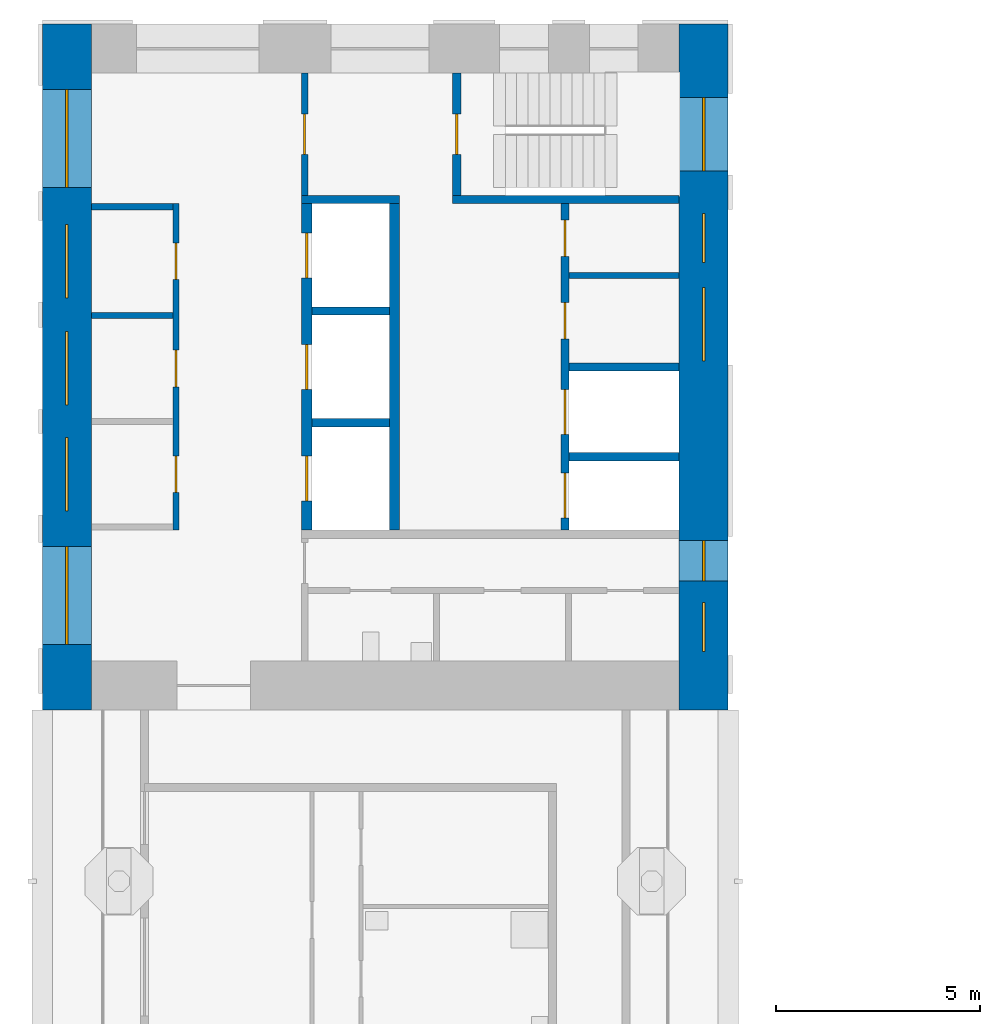
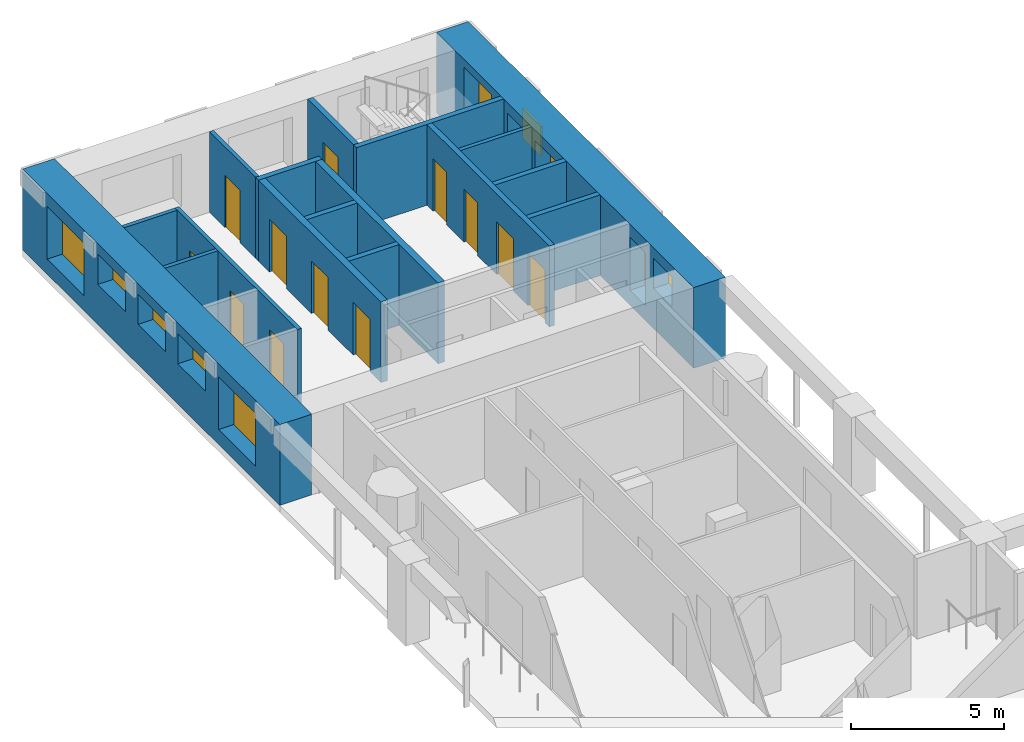
# One storey, part 6 of 13: 17 walls, 12 doors, 10 windows, 22 openings.
"""IFC4 building model written with IfcOpenShell, lengths in metres."""

from ifc_helpers import new_model, si_unit, direction, frame, frame_2d, origin, place, context, subcontext, project, spatial, rectangle, extrude, material, layer, layer_set, type_object, element, fill, save


model = new_model("IFC4")

# Units and contexts
model_context = context("Model", 3, precision=1e-05, world=origin(), true_north=direction((0.0, 1.0)))
body_context = subcontext(model_context, "Body", "Model", "MODEL_VIEW")
ifc_project = project(units=[si_unit("LENGTHUNIT", "METRE"), si_unit("AREAUNIT", "SQUARE_METRE"), si_unit("VOLUMEUNIT", "CUBIC_METRE"), si_unit("PLANEANGLEUNIT", "RADIAN"), si_unit("MASSUNIT", "GRAM", prefix="KILO")], contexts=[model_context])

# Site, building, storey
site_placement = place(None, origin())
site = spatial("IfcSite", under=ifc_project, at=site_placement, CompositionType="ELEMENT")
building_placement = place(site_placement, origin())
building = spatial("IfcBuilding", under=site, at=building_placement, Name="Vermilion Gate Residences", CompositionType="ELEMENT")
storey_placement = place(building_placement, frame((0.0, 0.0, 189.699951171875)))
storey = spatial("IfcBuildingStorey", under=building, at=storey_placement, Name="L49", CompositionType="ELEMENT", Elevation=189.699951171875)

# Walls
ifc_material_1 = material(Name="Masonry blockwork", Category="masonry")
ifc_layer_1 = layer(ifc_material_1, 0.14990234375)
ifc_layer_set_1 = layer_set([ifc_layer_1], Name="BLOCKWORK PARTITION 150 EI 120")
wall_type_1 = type_object("IfcWallType", Name="BLOCKWORK PARTITION 150 EI 120", PredefinedType="PARTITIONING", material=ifc_layer_set_1)
for number, where, z_axis, x_axis, name in (
    (1, (9.60009765625, 54.324951171875, 0.0), (0.0, 0.0, 1.0), (1.0, 0.0, 0.0), "Core room partition B49-RW-W"),
    (2, (9.60009765625, 51.658935546875, 0.0), (0.0, 0.0, 1.0), (1.0, 0.0, 0.0), "Core room partition B49-SR-P0"),
):
    element("IfcWall", number, at=place(storey_placement, frame(where, z_axis=z_axis, x_axis=x_axis)), inside=storey, type_object=wall_type_1, Name=name, PredefinedType="PARTITIONING", context=body_context, shape_type="SweptSolid", body=[
        extrude(rectangle(XDim=2.0, YDim=0.14990234375, at=frame_2d((1.0, 0.0))), origin(), (0.0, 0.0, 1.0), 3.219970703125),
    ])

# Wall, openings, doors
wall_1_placement = place(storey_placement, frame((11.675048828125, 54.39990234375, 0.0), z_axis=(0.0, 0.0, 1.0), x_axis=(0.0, -1.0, 0.0)))
wall_1 = element("IfcWall", 3, at=wall_1_placement, inside=storey, type_object=wall_type_1, Name="Core room partition B49-LR-F", PredefinedType="PARTITIONING", context=body_context, shape_type="SweptSolid", body=[
    extrude(rectangle(XDim=8.0, YDim=0.14990234375, at=frame_2d((4.0, 0.0))), origin(), (0.0, 0.0, 1.0), 3.219970703125),
])
opening_1_placement = place(wall_1_placement, frame((0.9580078125, 0.0, 0.0)))
opening_1 = element("IfcOpeningElement", 4, at=opening_1_placement, cuts=wall_1, Name="Opening DK49102", PredefinedType="OPENING", context=body_context, shape_type="SweptSolid", body=[
    extrude(rectangle(XDim=0.89990234375, YDim=2.10009765625, at=frame_2d((0.449951171875, 1.050048828125))), frame((0.0, 0.0849609375, 0.0), z_axis=(0.0, -1.0, 0.0), x_axis=(1.0, 0.0, 0.0)), (0.0, 0.0, 1.0), 0.169921875),
])
opening_2_placement = place(wall_1_placement, frame((3.5869140625, 0.0, 0.0)))
opening_2 = element("IfcOpeningElement", 5, at=opening_2_placement, cuts=wall_1, Name="Opening DK49103", PredefinedType="OPENING", context=body_context, shape_type="SweptSolid", body=[
    extrude(rectangle(XDim=0.89990234375, YDim=2.10009765625, at=frame_2d((0.449951171875, 1.050048828125))), frame((0.0, 0.0849609375, 0.0), z_axis=(0.0, -1.0, 0.0), x_axis=(1.0, 0.0, 0.0)), (0.0, 0.0, 1.0), 0.169921875),
])
opening_3_placement = place(wall_1_placement, frame((6.178955078125, 0.0, 0.0)))
opening_3 = element("IfcOpeningElement", 6, at=opening_3_placement, cuts=wall_1, Name="Opening DK49104", PredefinedType="OPENING", context=body_context, shape_type="SweptSolid", body=[
    extrude(rectangle(XDim=0.89990234375, YDim=2.10009765625, at=frame_2d((0.449951171875, 1.050048828125))), frame((0.0, 0.0849609375, 0.0), z_axis=(0.0, -1.0, 0.0), x_axis=(1.0, 0.0, 0.0)), (0.0, 0.0, 1.0), 0.169921875),
])
ifc_material_2 = material(Name="Steel", Category="steel")
door_type_1 = type_object("IfcDoorType", Name="SERVICE ROOM DOOR FD60 900 X 2100", OperationType="SINGLE_SWING_LEFT", PredefinedType="DOOR", material=ifc_material_2)
door_1_placement = place(opening_1_placement, origin())
door_1 = element("IfcDoor", 7, at=door_1_placement, inside=storey, type_object=door_type_1, Name="Electrical room B49", OperationType="SINGLE_SWING_LEFT", OverallHeight=2.10009765625, OverallWidth=0.89990234375, PredefinedType="DOOR", context=body_context, shape_type="SweptSolid", body=[
    extrude(rectangle(XDim=0.89990234375, YDim=2.10009765625, at=frame_2d((0.449951171875, 1.050048828125))), frame((0.0, 0.02490234375, 0.0), z_axis=(0.0, -1.0, 0.0), x_axis=(1.0, 0.0, 0.0)), (0.0, 0.0, 1.0), 0.050048828125),
])
fill(opening_1, door_1)
door_2_placement = place(opening_2_placement, frame((0.89990234375, 0.0, 0.0), z_axis=(0.0, 0.0, 1.0), x_axis=(-1.0, 0.0, 0.0)))
door_2 = element("IfcDoor", 8, at=door_2_placement, inside=storey, type_object=door_type_1, Name="Communications room B49", OperationType="SINGLE_SWING_LEFT", OverallHeight=2.10009765625, OverallWidth=0.89990234375, PredefinedType="DOOR", context=body_context, shape_type="SweptSolid", body=[
    extrude(rectangle(XDim=0.89990234375, YDim=2.10009765625, at=frame_2d((0.449951171875, 1.050048828125))), frame((0.0, 0.02490234375, 0.0), z_axis=(0.0, -1.0, 0.0), x_axis=(1.0, 0.0, 0.0)), (0.0, 0.0, 1.0), 0.050048828125),
])
fill(opening_2, door_2)
door_3_placement = place(opening_3_placement, frame((0.89990234375, 0.0, 0.0), z_axis=(0.0, 0.0, 1.0), x_axis=(-1.0, 0.0, 0.0)))
door_3 = element("IfcDoor", 9, at=door_3_placement, inside=storey, type_object=door_type_1, Name="Refuse room B49", OperationType="SINGLE_SWING_LEFT", OverallHeight=2.10009765625, OverallWidth=0.89990234375, PredefinedType="DOOR", context=body_context, shape_type="SweptSolid", body=[
    extrude(rectangle(XDim=0.89990234375, YDim=2.10009765625, at=frame_2d((0.449951171875, 1.050048828125))), frame((0.0, 0.02490234375, 0.0), z_axis=(0.0, -1.0, 0.0), x_axis=(1.0, 0.0, 0.0)), (0.0, 0.0, 1.0), 0.050048828125),
])
fill(opening_3, door_3)

# Wall
wall_2_placement = place(storey_placement, frame((21.300048828125, 52.637451171875, 0.0), z_axis=(0.0, 0.0, 1.0), x_axis=(1.0, 0.0, 0.0)))
element("IfcWall", 10, at=wall_2_placement, inside=storey, type_object=wall_type_1, Name="Core room partition B49-NR-P0", PredefinedType="PARTITIONING", context=body_context, shape_type="SweptSolid", body=[
    extrude(rectangle(XDim=2.699951171875, YDim=0.14990234375, at=frame_2d((1.35009765625, 0.0))), origin(), (0.0, 0.0, 1.0), 3.219970703125),
])

# Wall, opening, door
wall_3_placement = place(storey_placement, frame((14.824951171875, 57.60009765625, 0.0), z_axis=(0.0, 0.0, 1.0), x_axis=(0.0, -1.0, 0.0)))
wall_3 = element("IfcWall", 11, at=wall_3_placement, inside=storey, type_object=wall_type_1, Name="Core room partition B49-VW-S", PredefinedType="PARTITIONING", context=body_context, shape_type="SweptSolid", body=[
    extrude(rectangle(XDim=3.0, YDim=0.14990234375, at=frame_2d((1.5, 0.0))), origin(), (0.0, 0.0, 1.0), 3.219970703125),
])
opening_4_placement = place(wall_3_placement, frame((1.0, 0.0, 0.0)))
opening_4 = element("IfcOpeningElement", 12, at=opening_4_placement, cuts=wall_3, Name="Opening DK49112", PredefinedType="OPENING", context=body_context, shape_type="SweptSolid", body=[
    extrude(rectangle(XDim=1.0, YDim=2.10009765625, at=frame_2d((0.5, 1.050048828125))), frame((0.0, 0.0849609375, 0.0), z_axis=(0.0, -1.0, 0.0), x_axis=(1.0, 0.0, 0.0)), (0.0, 0.0, 1.0), 0.169921875),
])
ifc_material_3 = material(Name="Steel", Category="steel")
door_type_2 = type_object("IfcDoorType", Name="FIRE DOOR FD60 1000 X 2100", OperationType="SINGLE_SWING_LEFT", PredefinedType="DOOR", material=ifc_material_3)
door_4_placement = place(opening_4_placement, frame((1.0, 0.0, 0.0), z_axis=(0.0, 0.0, 1.0), x_axis=(-1.0, 0.0, 0.0)))
door_4 = element("IfcDoor", 13, at=door_4_placement, inside=storey, type_object=door_type_2, Name="Stair vestibule door B49", OperationType="SINGLE_SWING_RIGHT", OverallHeight=2.10009765625, OverallWidth=1.0, PredefinedType="DOOR", context=body_context, shape_type="SweptSolid", body=[
    extrude(rectangle(XDim=1.0, YDim=2.10009765625, at=frame_2d((0.5, 1.050048828125))), frame((0.0, 0.02490234375, 0.0), z_axis=(0.0, -1.0, 0.0), x_axis=(1.0, 0.0, 0.0)), (0.0, 0.0, 1.0), 0.050048828125),
])
fill(opening_4, door_4)

# Walls
ifc_material_4 = material(Name="Concrete C60", Category="concrete")
ifc_layer_2 = layer(ifc_material_4, 0.199951171875)
ifc_layer_set_2 = layer_set([ifc_layer_2], Name="RC CORE INTERNAL WALL 200 C60")
wall_type_2 = type_object("IfcWallType", Name="RC CORE INTERNAL WALL 200 C60", PredefinedType="SHEAR", material=ifc_layer_set_2)
for number, where, z_axis, x_axis, name in (
    (14, (15.0, 51.7666015625, 0.0), (0.0, 0.0, 1.0), (1.0, 0.0, 0.0), "Core internal wall B49-HR-D1"),
    (15, (15.0, 49.033447265625, 0.0), (0.0, 0.0, 1.0), (1.0, 0.0, 0.0), "Core internal wall B49-HR-D2"),
):
    element("IfcWall", number, at=place(storey_placement, frame(where, z_axis=z_axis, x_axis=x_axis)), inside=storey, type_object=wall_type_2, Name=name, PredefinedType="SHEAR", context=body_context, shape_type="SweptSolid", body=[
        extrude(rectangle(XDim=1.89990234375, YDim=0.199951171875, at=frame_2d((0.949951171875, 0.0))), origin(), (0.0, 0.0, 1.0), 3.219970703125),
    ])
for number, where, z_axis, x_axis, name in (
    (16, (21.300048828125, 50.39990234375, 0.0), (0.0, 0.0, 1.0), (1.0, 0.0, 0.0), "Core internal wall B49-FF-D0"),
    (17, (21.300048828125, 48.199951171875, 0.0), (0.0, 0.0, 1.0), (1.0, 0.0, 0.0), "Core internal wall B49-FF-D1"),
):
    element("IfcWall", number, at=place(storey_placement, frame(where, z_axis=z_axis, x_axis=x_axis)), inside=storey, type_object=wall_type_2, Name=name, PredefinedType="SHEAR", context=body_context, shape_type="SweptSolid", body=[
        extrude(rectangle(XDim=2.699951171875, YDim=0.199951171875, at=frame_2d((1.35009765625, 0.0))), origin(), (0.0, 0.0, 1.0), 3.219970703125),
    ])

# Wall, openings, doors
wall_4_placement = place(storey_placement, frame((21.199951171875, 54.39990234375, 0.0), z_axis=(0.0, 0.0, 1.0), x_axis=(0.0, -1.0, 0.0)))
wall_4 = element("IfcWall", 18, at=wall_4_placement, inside=storey, type_object=wall_type_2, Name="Core internal wall B49-FF-F", PredefinedType="SHEAR", context=body_context, shape_type="SweptSolid", body=[
    extrude(rectangle(XDim=8.0, YDim=0.199951171875, at=frame_2d((4.0, 0.0))), origin(), (0.0, 0.0, 1.0), 3.219970703125),
])
opening_5_placement = place(wall_4_placement, frame((0.393798828125, 0.0, 0.0)))
opening_5 = element("IfcOpeningElement", 19, at=opening_5_placement, cuts=wall_4, Name="Opening DK49108", PredefinedType="OPENING", context=body_context, shape_type="SweptSolid", body=[
    extrude(rectangle(XDim=0.89990234375, YDim=2.10009765625, at=frame_2d((0.449951171875, 1.050048828125))), frame((0.0, 0.10986328125, 0.0), z_axis=(0.0, -1.0, 0.0), x_axis=(1.0, 0.0, 0.0)), (0.0, 0.0, 1.0), 0.219970703125),
])
opening_6_placement = place(wall_4_placement, frame((2.418701171875, 0.0, 0.0)))
opening_6 = element("IfcOpeningElement", 20, at=opening_6_placement, cuts=wall_4, Name="Opening DK49109", PredefinedType="OPENING", context=body_context, shape_type="SweptSolid", body=[
    extrude(rectangle(XDim=0.89990234375, YDim=2.10009765625, at=frame_2d((0.449951171875, 1.050048828125))), frame((0.0, 0.10986328125, 0.0), z_axis=(0.0, -1.0, 0.0), x_axis=(1.0, 0.0, 0.0)), (0.0, 0.0, 1.0), 0.219970703125),
])
opening_7_placement = place(wall_4_placement, frame((4.550048828125, 0.0, 0.0)))
opening_7 = element("IfcOpeningElement", 21, at=opening_7_placement, cuts=wall_4, Name="Opening LD", PredefinedType="OPENING", context=body_context, shape_type="SweptSolid", body=[
    extrude(rectangle(XDim=1.10009765625, YDim=2.10009765625, at=frame_2d((0.550048828125, 1.050048828125))), frame((0.0, 0.10986328125, 0.0), z_axis=(0.0, -1.0, 0.0), x_axis=(1.0, 0.0, 0.0)), (0.0, 0.0, 1.0), 0.219970703125),
])
opening_8_placement = place(wall_4_placement, frame((6.60009765625, 0.0, 0.0)))
opening_8 = element("IfcOpeningElement", 22, at=opening_8_placement, cuts=wall_4, Name="Opening LD", PredefinedType="OPENING", context=body_context, shape_type="SweptSolid", body=[
    extrude(rectangle(XDim=1.10009765625, YDim=2.10009765625, at=frame_2d((0.550048828125, 1.050048828125))), frame((0.0, 0.10986328125, 0.0), z_axis=(0.0, -1.0, 0.0), x_axis=(1.0, 0.0, 0.0)), (0.0, 0.0, 1.0), 0.219970703125),
])
ifc_material_5 = material(Name="Stainless steel", Category="steel")
door_type_3 = type_object("IfcDoorType", Name="LIFT LANDING DOOR E60 1100 X 2100", OperationType="DOUBLE_DOOR_SLIDING", PredefinedType="DOOR", material=ifc_material_5)
door_5_placement = place(opening_7_placement, origin())
door_5 = element("IfcDoor", 23, at=door_5_placement, inside=storey, type_object=door_type_3, Name="Lift landing door LFB1", OperationType="DOUBLE_DOOR_SLIDING", OverallHeight=2.10009765625, OverallWidth=1.10009765625, PredefinedType="DOOR", context=body_context, shape_type="SweptSolid", body=[
    extrude(rectangle(XDim=1.10009765625, YDim=2.10009765625, at=frame_2d((0.550048828125, 1.050048828125))), frame((0.0, 0.02490234375, 0.0), z_axis=(0.0, -1.0, 0.0), x_axis=(1.0, 0.0, 0.0)), (0.0, 0.0, 1.0), 0.050048828125),
])
fill(opening_7, door_5)
door_6_placement = place(opening_8_placement, origin())
door_6 = element("IfcDoor", 24, at=door_6_placement, inside=storey, type_object=door_type_3, Name="Lift landing door LCB1", OperationType="DOUBLE_DOOR_SLIDING", OverallHeight=2.10009765625, OverallWidth=1.10009765625, PredefinedType="DOOR", context=body_context, shape_type="SweptSolid", body=[
    extrude(rectangle(XDim=1.10009765625, YDim=2.10009765625, at=frame_2d((0.550048828125, 1.050048828125))), frame((0.0, 0.02490234375, 0.0), z_axis=(0.0, -1.0, 0.0), x_axis=(1.0, 0.0, 0.0)), (0.0, 0.0, 1.0), 0.050048828125),
])
fill(opening_8, door_6)
door_7_placement = place(opening_5_placement, origin())
door_7 = element("IfcDoor", 25, at=door_7_placement, inside=storey, type_object=door_type_1, Name="Electrical riser B49", OperationType="SINGLE_SWING_RIGHT", OverallHeight=2.10009765625, OverallWidth=0.89990234375, PredefinedType="DOOR", context=body_context, shape_type="SweptSolid", body=[
    extrude(rectangle(XDim=0.89990234375, YDim=2.10009765625, at=frame_2d((0.449951171875, 1.050048828125))), frame((0.0, 0.02490234375, 0.0), z_axis=(0.0, -1.0, 0.0), x_axis=(1.0, 0.0, 0.0)), (0.0, 0.0, 1.0), 0.050048828125),
])
fill(opening_5, door_7)
door_8_placement = place(opening_6_placement, origin())
door_8 = element("IfcDoor", 26, at=door_8_placement, inside=storey, type_object=door_type_1, Name="Cleaner's store B49", OperationType="SINGLE_SWING_RIGHT", OverallHeight=2.10009765625, OverallWidth=0.89990234375, PredefinedType="DOOR", context=body_context, shape_type="SweptSolid", body=[
    extrude(rectangle(XDim=0.89990234375, YDim=2.10009765625, at=frame_2d((0.449951171875, 1.050048828125))), frame((0.0, 0.02490234375, 0.0), z_axis=(0.0, -1.0, 0.0), x_axis=(1.0, 0.0, 0.0)), (0.0, 0.0, 1.0), 0.050048828125),
])
fill(opening_6, door_8)

# Walls
wall_5_placement = place(storey_placement, frame((14.75, 54.5, 0.0), z_axis=(0.0, 0.0, 1.0), x_axis=(1.0, 0.0, 0.0)))
element("IfcWall", 27, at=wall_5_placement, inside=storey, type_object=wall_type_2, Name="Core internal wall B49-WDIV1", PredefinedType="SHEAR", context=body_context, shape_type="SweptSolid", body=[
    extrude(rectangle(XDim=2.39990234375, YDim=0.199951171875, at=frame_2d((1.199951171875, 0.0))), origin(), (0.0, 0.0, 1.0), 3.219970703125),
])
wall_6_placement = place(storey_placement, frame((18.449951171875, 54.5, 0.0), z_axis=(0.0, 0.0, 1.0), x_axis=(1.0, 0.0, 0.0)))
element("IfcWall", 28, at=wall_6_placement, inside=storey, type_object=wall_type_2, Name="Core internal wall B49-WDIV2", PredefinedType="SHEAR", context=body_context, shape_type="SweptSolid", body=[
    extrude(rectangle(XDim=5.550048828125, YDim=0.199951171875, at=frame_2d((2.77490234375, 0.0))), origin(), (0.0, 0.0, 1.0), 3.219970703125),
])

# Wall, opening, door
wall_7_placement = place(storey_placement, frame((18.550048828125, 57.60009765625, 0.0), z_axis=(0.0, 0.0, 1.0), x_axis=(0.0, -1.0, 0.0)))
wall_7 = element("IfcWall", 29, at=wall_7_placement, inside=storey, type_object=wall_type_2, Name="Core internal wall B49-STW-S", PredefinedType="SHEAR", context=body_context, shape_type="SweptSolid", body=[
    extrude(rectangle(XDim=3.0, YDim=0.199951171875, at=frame_2d((1.5, 0.0))), origin(), (0.0, 0.0, 1.0), 3.219970703125),
])
opening_9_placement = place(wall_7_placement, frame((1.0, 0.0, 0.0)))
opening_9 = element("IfcOpeningElement", 30, at=opening_9_placement, cuts=wall_7, Name="Opening DK49113", PredefinedType="OPENING", context=body_context, shape_type="SweptSolid", body=[
    extrude(rectangle(XDim=1.0, YDim=2.10009765625, at=frame_2d((0.5, 1.050048828125))), frame((0.0, 0.10986328125, 0.0), z_axis=(0.0, -1.0, 0.0), x_axis=(1.0, 0.0, 0.0)), (0.0, 0.0, 1.0), 0.219970703125),
])
door_9_placement = place(opening_9_placement, origin())
door_9 = element("IfcDoor", 31, at=door_9_placement, inside=storey, type_object=door_type_2, Name="Stair door B49", OperationType="SINGLE_SWING_LEFT", OverallHeight=2.10009765625, OverallWidth=1.0, PredefinedType="DOOR", context=body_context, shape_type="SweptSolid", body=[
    extrude(rectangle(XDim=1.0, YDim=2.10009765625, at=frame_2d((0.5, 1.050048828125))), frame((0.0, 0.02490234375, 0.0), z_axis=(0.0, -1.0, 0.0), x_axis=(1.0, 0.0, 0.0)), (0.0, 0.0, 1.0), 0.050048828125),
])
fill(opening_9, door_9)

# Wall, openings, windows
ifc_material_6 = material(Name="Concrete C60 red-oxide pigmented", Category="concrete")
ifc_layer_3 = layer(ifc_material_6, 1.199951171875)
ifc_layer_set_3 = layer_set([ifc_layer_3], Name="RC CORE WALL 1200 C60 RED OXIDE")
wall_type_3 = type_object("IfcWallType", Name="RC CORE WALL 1200 C60 RED OXIDE", PredefinedType="SHEAR", material=ifc_layer_set_3)
wall_8_placement = place(storey_placement, frame((9.0, 58.800048828125, 0.0), z_axis=(0.0, 0.0, 1.0), x_axis=(0.0, -1.0, 0.0)))
wall_8 = element("IfcWall", 32, at=wall_8_placement, inside=storey, type_object=wall_type_3, Name="Core wall B49-OUT-B0", PredefinedType="SHEAR", context=body_context, shape_type="SweptSolid", body=[
    extrude(rectangle(XDim=16.800048828125, YDim=1.199951171875, at=frame_2d((8.39990234375, 0.0))), origin(), (0.0, 0.0, 1.0), 3.219970703125),
])
opening_10_placement = place(wall_8_placement, frame((1.60009765625, 0.0, 0.60009765625)))
opening_10 = element("IfcOpeningElement", 33, at=opening_10_placement, cuts=wall_8, Name="Opening WKB4901", PredefinedType="OPENING", context=body_context, shape_type="SweptSolid", body=[
    extrude(rectangle(XDim=2.39990234375, YDim=2.10009765625, at=frame_2d((1.199951171875, 1.050048828125))), frame((0.0, 0.60986328125, 0.0), z_axis=(0.0, -1.0, 0.0), x_axis=(1.0, 0.0, 0.0)), (0.0, 0.0, 1.0), 1.219970703125),
])
opening_11_placement = place(wall_8_placement, frame((4.907958984375, 0.0, 1.60009765625)))
opening_11 = element("IfcOpeningElement", 34, at=opening_11_placement, cuts=wall_8, Name="Opening WKB4902", PredefinedType="OPENING", context=body_context, shape_type="SweptSolid", body=[
    extrude(rectangle(XDim=1.800048828125, YDim=1.199951171875, at=frame_2d((0.89990234375, 0.60009765625))), frame((0.0, 0.60986328125, 0.0), z_axis=(0.0, -1.0, 0.0), x_axis=(1.0, 0.0, 0.0)), (0.0, 0.0, 1.0), 1.219970703125),
])
opening_12_placement = place(wall_8_placement, frame((7.537109375, 0.0, 1.60009765625)))
opening_12 = element("IfcOpeningElement", 35, at=opening_12_placement, cuts=wall_8, Name="Opening WKB4903", PredefinedType="OPENING", context=body_context, shape_type="SweptSolid", body=[
    extrude(rectangle(XDim=1.800048828125, YDim=1.199951171875, at=frame_2d((0.89990234375, 0.60009765625))), frame((0.0, 0.60986328125, 0.0), z_axis=(0.0, -1.0, 0.0), x_axis=(1.0, 0.0, 0.0)), (0.0, 0.0, 1.0), 1.219970703125),
])
opening_13_placement = place(wall_8_placement, frame((10.12890625, 0.0, 1.60009765625)))
opening_13 = element("IfcOpeningElement", 36, at=opening_13_placement, cuts=wall_8, Name="Opening WKB4904", PredefinedType="OPENING", context=body_context, shape_type="SweptSolid", body=[
    extrude(rectangle(XDim=1.800048828125, YDim=1.199951171875, at=frame_2d((0.89990234375, 0.60009765625))), frame((0.0, 0.60986328125, 0.0), z_axis=(0.0, -1.0, 0.0), x_axis=(1.0, 0.0, 0.0)), (0.0, 0.0, 1.0), 1.219970703125),
])
opening_14_placement = place(wall_8_placement, frame((12.800048828125, 0.0, 0.60009765625)))
opening_14 = element("IfcOpeningElement", 37, at=opening_14_placement, cuts=wall_8, Name="Opening WKB4905", PredefinedType="OPENING", context=body_context, shape_type="SweptSolid", body=[
    extrude(rectangle(XDim=2.39990234375, YDim=2.10009765625, at=frame_2d((1.199951171875, 1.050048828125))), frame((0.0, 0.60986328125, 0.0), z_axis=(0.0, -1.0, 0.0), x_axis=(1.0, 0.0, 0.0)), (0.0, 0.0, 1.0), 1.219970703125),
])
ifc_material_7 = material(Name="Aluminium and clear glass", Category="aluminium")
window_type_1 = type_object("IfcWindowType", Name="CORE LOBBY WINDOW 2400 X 2100", PartitioningType="SINGLE_PANEL", PredefinedType="WINDOW", material=ifc_material_7)
window_1_placement = place(opening_10_placement, origin())
window_1 = element("IfcWindow", 38, at=window_1_placement, inside=storey, type_object=window_type_1, Name="Core lobby window", OverallHeight=2.10009765625, OverallWidth=2.39990234375, PartitioningType="SINGLE_PANEL", PredefinedType="WINDOW", context=body_context, shape_type="SweptSolid", body=[
    extrude(rectangle(XDim=2.39990234375, YDim=2.10009765625, at=frame_2d((1.199951171875, 1.050048828125))), frame((0.0, 0.030029296875, 0.0), z_axis=(0.0, -1.0, 0.0), x_axis=(1.0, 0.0, 0.0)), (0.0, 0.0, 1.0), 0.06005859375),
])
fill(opening_10, window_1)
window_2_placement = place(opening_14_placement, origin())
window_2 = element("IfcWindow", 39, at=window_2_placement, inside=storey, type_object=window_type_1, Name="Core lobby window", OverallHeight=2.10009765625, OverallWidth=2.39990234375, PartitioningType="SINGLE_PANEL", PredefinedType="WINDOW", context=body_context, shape_type="SweptSolid", body=[
    extrude(rectangle(XDim=2.39990234375, YDim=2.10009765625, at=frame_2d((1.199951171875, 1.050048828125))), frame((0.0, 0.030029296875, 0.0), z_axis=(0.0, -1.0, 0.0), x_axis=(1.0, 0.0, 0.0)), (0.0, 0.0, 1.0), 0.06005859375),
])
fill(opening_14, window_2)
ifc_material_8 = material(Name="Aluminium frame with louvre blades", Category="aluminium")
window_type_2 = type_object("IfcWindowType", Name="CORE LOUVRE 1800 X 1200", PartitioningType="SINGLE_PANEL", PredefinedType="WINDOW", material=ifc_material_8)
window_3_placement = place(opening_11_placement, origin())
window_3 = element("IfcWindow", 40, at=window_3_placement, inside=storey, type_object=window_type_2, Name="Core louvre", OverallHeight=1.199951171875, OverallWidth=1.800048828125, PartitioningType="SINGLE_PANEL", PredefinedType="WINDOW", context=body_context, shape_type="SweptSolid", body=[
    extrude(rectangle(XDim=1.800048828125, YDim=1.199951171875, at=frame_2d((0.89990234375, 0.60009765625))), frame((0.0, 0.030029296875, 0.0), z_axis=(0.0, -1.0, 0.0), x_axis=(1.0, 0.0, 0.0)), (0.0, 0.0, 1.0), 0.06005859375),
])
fill(opening_11, window_3)
window_4_placement = place(opening_12_placement, origin())
window_4 = element("IfcWindow", 41, at=window_4_placement, inside=storey, type_object=window_type_2, Name="Core louvre", OverallHeight=1.199951171875, OverallWidth=1.800048828125, PartitioningType="SINGLE_PANEL", PredefinedType="WINDOW", context=body_context, shape_type="SweptSolid", body=[
    extrude(rectangle(XDim=1.800048828125, YDim=1.199951171875, at=frame_2d((0.89990234375, 0.60009765625))), frame((0.0, 0.030029296875, 0.0), z_axis=(0.0, -1.0, 0.0), x_axis=(1.0, 0.0, 0.0)), (0.0, 0.0, 1.0), 0.06005859375),
])
fill(opening_12, window_4)
window_5_placement = place(opening_13_placement, origin())
window_5 = element("IfcWindow", 42, at=window_5_placement, inside=storey, type_object=window_type_2, Name="Core louvre", OverallHeight=1.199951171875, OverallWidth=1.800048828125, PartitioningType="SINGLE_PANEL", PredefinedType="WINDOW", context=body_context, shape_type="SweptSolid", body=[
    extrude(rectangle(XDim=1.800048828125, YDim=1.199951171875, at=frame_2d((0.89990234375, 0.60009765625))), frame((0.0, 0.030029296875, 0.0), z_axis=(0.0, -1.0, 0.0), x_axis=(1.0, 0.0, 0.0)), (0.0, 0.0, 1.0), 0.06005859375),
])
fill(opening_13, window_5)

wall_9_placement = place(storey_placement, frame((24.60009765625, 58.800048828125, 0.0), z_axis=(0.0, 0.0, 1.0), x_axis=(0.0, -1.0, 0.0)))
wall_9 = element("IfcWall", 43, at=wall_9_placement, inside=storey, type_object=wall_type_3, Name="Core wall B49-OUT-B1", PredefinedType="SHEAR", context=body_context, shape_type="SweptSolid", body=[
    extrude(rectangle(XDim=16.800048828125, YDim=1.199951171875, at=frame_2d((8.39990234375, 0.0))), origin(), (0.0, 0.0, 1.0), 3.219970703125),
])
opening_15_placement = place(wall_9_placement, frame((1.800048828125, 0.0, 0.5)))
opening_15 = element("IfcOpeningElement", 44, at=opening_15_placement, cuts=wall_9, Name="Opening WKB4906", PredefinedType="OPENING", context=body_context, shape_type="SweptSolid", body=[
    extrude(rectangle(XDim=1.800048828125, YDim=2.39990234375, at=frame_2d((0.89990234375, 1.199951171875))), frame((0.0, 0.60986328125, 0.0), z_axis=(0.0, -1.0, 0.0), x_axis=(1.0, 0.0, 0.0)), (0.0, 0.0, 1.0), 1.219970703125),
])
opening_16_placement = place(wall_9_placement, frame((4.643798828125, 0.0, 1.60009765625)))
opening_16 = element("IfcOpeningElement", 45, at=opening_16_placement, cuts=wall_9, Name="Opening WKB4907", PredefinedType="OPENING", context=body_context, shape_type="SweptSolid", body=[
    extrude(rectangle(XDim=1.199951171875, YDim=1.199951171875, at=frame_2d((0.60009765625, 0.60009765625))), frame((0.0, 0.60986328125, 0.0), z_axis=(0.0, -1.0, 0.0), x_axis=(1.0, 0.0, 0.0)), (0.0, 0.0, 1.0), 1.219970703125),
])
opening_17_placement = place(wall_9_placement, frame((6.449951171875, 0.0, 1.60009765625)))
opening_17 = element("IfcOpeningElement", 46, at=opening_17_placement, cuts=wall_9, Name="Opening WKB4908", PredefinedType="OPENING", context=body_context, shape_type="SweptSolid", body=[
    extrude(rectangle(XDim=1.800048828125, YDim=1.199951171875, at=frame_2d((0.89990234375, 0.60009765625))), frame((0.0, 0.60986328125, 0.0), z_axis=(0.0, -1.0, 0.0), x_axis=(1.0, 0.0, 0.0)), (0.0, 0.0, 1.0), 1.219970703125),
])
opening_18_placement = place(wall_9_placement, frame((12.64990234375, 0.0, 0.60009765625)))
opening_18 = element("IfcOpeningElement", 47, at=opening_18_placement, cuts=wall_9, Name="Opening WKB4909", PredefinedType="OPENING", context=body_context, shape_type="SweptSolid", body=[
    extrude(rectangle(XDim=1.0, YDim=2.10009765625, at=frame_2d((0.5, 1.050048828125))), frame((0.0, 0.60986328125, 0.0), z_axis=(0.0, -1.0, 0.0), x_axis=(1.0, 0.0, 0.0)), (0.0, 0.0, 1.0), 1.219970703125),
])
opening_19_placement = place(wall_9_placement, frame((14.175048828125, 0.0, 1.60009765625)))
opening_19 = element("IfcOpeningElement", 48, at=opening_19_placement, cuts=wall_9, Name="Opening WKB4910", PredefinedType="OPENING", context=body_context, shape_type="SweptSolid", body=[
    extrude(rectangle(XDim=1.199951171875, YDim=1.199951171875, at=frame_2d((0.60009765625, 0.60009765625))), frame((0.0, 0.60986328125, 0.0), z_axis=(0.0, -1.0, 0.0), x_axis=(1.0, 0.0, 0.0)), (0.0, 0.0, 1.0), 1.219970703125),
])
ifc_material_9 = material(Name="Aluminium and clear glass", Category="aluminium")
window_type_3 = type_object("IfcWindowType", Name="CORE CORRIDOR WINDOW 1000 X 2100", PartitioningType="SINGLE_PANEL", PredefinedType="WINDOW", material=ifc_material_9)
window_6_placement = place(opening_18_placement, origin())
window_6 = element("IfcWindow", 49, at=window_6_placement, inside=storey, type_object=window_type_3, Name="Core corridor window", OverallHeight=2.10009765625, OverallWidth=1.0, PartitioningType="SINGLE_PANEL", PredefinedType="WINDOW", context=body_context, shape_type="SweptSolid", body=[
    extrude(rectangle(XDim=1.0, YDim=2.10009765625, at=frame_2d((0.5, 1.050048828125))), frame((0.0, 0.030029296875, 0.0), z_axis=(0.0, -1.0, 0.0), x_axis=(1.0, 0.0, 0.0)), (0.0, 0.0, 1.0), 0.06005859375),
])
fill(opening_18, window_6)
ifc_material_10 = material(Name="Aluminium frame with louvre blades", Category="aluminium")
window_type_4 = type_object("IfcWindowType", Name="CORE LOUVRE 1200 X 1200", PartitioningType="SINGLE_PANEL", PredefinedType="WINDOW", material=ifc_material_10)
window_7_placement = place(opening_16_placement, origin())
window_7 = element("IfcWindow", 50, at=window_7_placement, inside=storey, type_object=window_type_4, Name="Core louvre", OverallHeight=1.199951171875, OverallWidth=1.199951171875, PartitioningType="SINGLE_PANEL", PredefinedType="WINDOW", context=body_context, shape_type="SweptSolid", body=[
    extrude(rectangle(XDim=1.199951171875, YDim=1.199951171875, at=frame_2d((0.60009765625, 0.60009765625))), frame((0.0, 0.030029296875, 0.0), z_axis=(0.0, -1.0, 0.0), x_axis=(1.0, 0.0, 0.0)), (0.0, 0.0, 1.0), 0.06005859375),
])
fill(opening_16, window_7)
window_8_placement = place(opening_19_placement, origin())
window_8 = element("IfcWindow", 51, at=window_8_placement, inside=storey, type_object=window_type_4, Name="Core louvre", OverallHeight=1.199951171875, OverallWidth=1.199951171875, PartitioningType="SINGLE_PANEL", PredefinedType="WINDOW", context=body_context, shape_type="SweptSolid", body=[
    extrude(rectangle(XDim=1.199951171875, YDim=1.199951171875, at=frame_2d((0.60009765625, 0.60009765625))), frame((0.0, 0.030029296875, 0.0), z_axis=(0.0, -1.0, 0.0), x_axis=(1.0, 0.0, 0.0)), (0.0, 0.0, 1.0), 0.06005859375),
])
fill(opening_19, window_8)
window_9_placement = place(opening_17_placement, origin())
window_9 = element("IfcWindow", 52, at=window_9_placement, inside=storey, type_object=window_type_2, Name="Core louvre", OverallHeight=1.199951171875, OverallWidth=1.800048828125, PartitioningType="SINGLE_PANEL", PredefinedType="WINDOW", context=body_context, shape_type="SweptSolid", body=[
    extrude(rectangle(XDim=1.800048828125, YDim=1.199951171875, at=frame_2d((0.89990234375, 0.60009765625))), frame((0.0, 0.030029296875, 0.0), z_axis=(0.0, -1.0, 0.0), x_axis=(1.0, 0.0, 0.0)), (0.0, 0.0, 1.0), 0.06005859375),
])
fill(opening_17, window_9)
ifc_material_11 = material(Name="Aluminium and clear glass", Category="aluminium")
window_type_5 = type_object("IfcWindowType", Name="CORE STAIR WINDOW 1800 X 2400", PartitioningType="SINGLE_PANEL", PredefinedType="WINDOW", material=ifc_material_11)
window_10_placement = place(opening_15_placement, origin())
window_10 = element("IfcWindow", 53, at=window_10_placement, inside=storey, type_object=window_type_5, Name="Core stair window", OverallHeight=2.39990234375, OverallWidth=1.800048828125, PartitioningType="SINGLE_PANEL", PredefinedType="WINDOW", context=body_context, shape_type="SweptSolid", body=[
    extrude(rectangle(XDim=1.800048828125, YDim=2.39990234375, at=frame_2d((0.89990234375, 1.199951171875))), frame((0.0, 0.030029296875, 0.0), z_axis=(0.0, -1.0, 0.0), x_axis=(1.0, 0.0, 0.0)), (0.0, 0.0, 1.0), 0.06005859375),
])
fill(opening_15, window_10)

# Wall, openings, doors
ifc_material_12 = material(Name="Concrete C60", Category="concrete")
ifc_layer_4 = layer(ifc_material_12, 0.25)
ifc_layer_set_4 = layer_set([ifc_layer_4], Name="RC LIFT SHAFT WALL 250 C60")
wall_type_4 = type_object("IfcWallType", Name="RC LIFT SHAFT WALL 250 C60", PredefinedType="SHEAR", material=ifc_layer_set_4)
wall_10_placement = place(storey_placement, frame((14.875, 54.39990234375, 0.0), z_axis=(0.0, 0.0, 1.0), x_axis=(0.0, -1.0, 0.0)))
wall_10 = element("IfcWall", 54, at=wall_10_placement, inside=storey, type_object=wall_type_4, Name="Lift shaft wall B49-HR-F", PredefinedType="SHEAR", context=body_context, shape_type="SweptSolid", body=[
    extrude(rectangle(XDim=8.0, YDim=0.25, at=frame_2d((4.0, 0.0))), origin(), (0.0, 0.0, 1.0), 3.219970703125),
])
opening_20_placement = place(wall_10_placement, frame((0.716552734375, 0.0, 0.0)))
opening_20 = element("IfcOpeningElement", 55, at=opening_20_placement, cuts=wall_10, Name="Opening LD", PredefinedType="OPENING", context=body_context, shape_type="SweptSolid", body=[
    extrude(rectangle(XDim=1.10009765625, YDim=2.10009765625, at=frame_2d((0.550048828125, 1.050048828125))), frame((0.0, 0.135009765625, 0.0), z_axis=(0.0, -1.0, 0.0), x_axis=(1.0, 0.0, 0.0)), (0.0, 0.0, 1.0), 0.27001953125),
])
opening_21_placement = place(wall_10_placement, frame((3.449951171875, 0.0, 0.0)))
opening_21 = element("IfcOpeningElement", 56, at=opening_21_placement, cuts=wall_10, Name="Opening LD", PredefinedType="OPENING", context=body_context, shape_type="SweptSolid", body=[
    extrude(rectangle(XDim=1.10009765625, YDim=2.10009765625, at=frame_2d((0.550048828125, 1.050048828125))), frame((0.0, 0.135009765625, 0.0), z_axis=(0.0, -1.0, 0.0), x_axis=(1.0, 0.0, 0.0)), (0.0, 0.0, 1.0), 0.27001953125),
])
opening_22_placement = place(wall_10_placement, frame((6.183349609375, 0.0, 0.0)))
opening_22 = element("IfcOpeningElement", 57, at=opening_22_placement, cuts=wall_10, Name="Opening LD", PredefinedType="OPENING", context=body_context, shape_type="SweptSolid", body=[
    extrude(rectangle(XDim=1.10009765625, YDim=2.10009765625, at=frame_2d((0.550048828125, 1.050048828125))), frame((0.0, 0.135009765625, 0.0), z_axis=(0.0, -1.0, 0.0), x_axis=(1.0, 0.0, 0.0)), (0.0, 0.0, 1.0), 0.27001953125),
])
door_10_placement = place(opening_20_placement, origin())
door_10 = element("IfcDoor", 58, at=door_10_placement, inside=storey, type_object=door_type_3, Name="Lift landing door HRB1", OperationType="DOUBLE_DOOR_SLIDING", OverallHeight=2.10009765625, OverallWidth=1.10009765625, PredefinedType="DOOR", context=body_context, shape_type="SweptSolid", body=[
    extrude(rectangle(XDim=1.10009765625, YDim=2.10009765625, at=frame_2d((0.550048828125, 1.050048828125))), frame((0.0, 0.02490234375, 0.0), z_axis=(0.0, -1.0, 0.0), x_axis=(1.0, 0.0, 0.0)), (0.0, 0.0, 1.0), 0.050048828125),
])
fill(opening_20, door_10)
door_11_placement = place(opening_21_placement, origin())
door_11 = element("IfcDoor", 59, at=door_11_placement, inside=storey, type_object=door_type_3, Name="Lift landing door HRB2", OperationType="DOUBLE_DOOR_SLIDING", OverallHeight=2.10009765625, OverallWidth=1.10009765625, PredefinedType="DOOR", context=body_context, shape_type="SweptSolid", body=[
    extrude(rectangle(XDim=1.10009765625, YDim=2.10009765625, at=frame_2d((0.550048828125, 1.050048828125))), frame((0.0, 0.02490234375, 0.0), z_axis=(0.0, -1.0, 0.0), x_axis=(1.0, 0.0, 0.0)), (0.0, 0.0, 1.0), 0.050048828125),
])
fill(opening_21, door_11)
door_12_placement = place(opening_22_placement, origin())
door_12 = element("IfcDoor", 60, at=door_12_placement, inside=storey, type_object=door_type_3, Name="Lift landing door HRB3", OperationType="DOUBLE_DOOR_SLIDING", OverallHeight=2.10009765625, OverallWidth=1.10009765625, PredefinedType="DOOR", context=body_context, shape_type="SweptSolid", body=[
    extrude(rectangle(XDim=1.10009765625, YDim=2.10009765625, at=frame_2d((0.550048828125, 1.050048828125))), frame((0.0, 0.02490234375, 0.0), z_axis=(0.0, -1.0, 0.0), x_axis=(1.0, 0.0, 0.0)), (0.0, 0.0, 1.0), 0.050048828125),
])
fill(opening_22, door_12)

# Wall
wall_11_placement = place(storey_placement, frame((17.02490234375, 54.39990234375, 0.0), z_axis=(0.0, 0.0, 1.0), x_axis=(0.0, -1.0, 0.0)))
element("IfcWall", 61, at=wall_11_placement, inside=storey, type_object=wall_type_4, Name="Lift shaft wall B49-HR-B", PredefinedType="SHEAR", context=body_context, shape_type="SweptSolid", body=[
    extrude(rectangle(XDim=8.0, YDim=0.25, at=frame_2d((4.0, 0.0))), origin(), (0.0, 0.0, 1.0), 3.219970703125),
])

save(model, "model.ifc")
